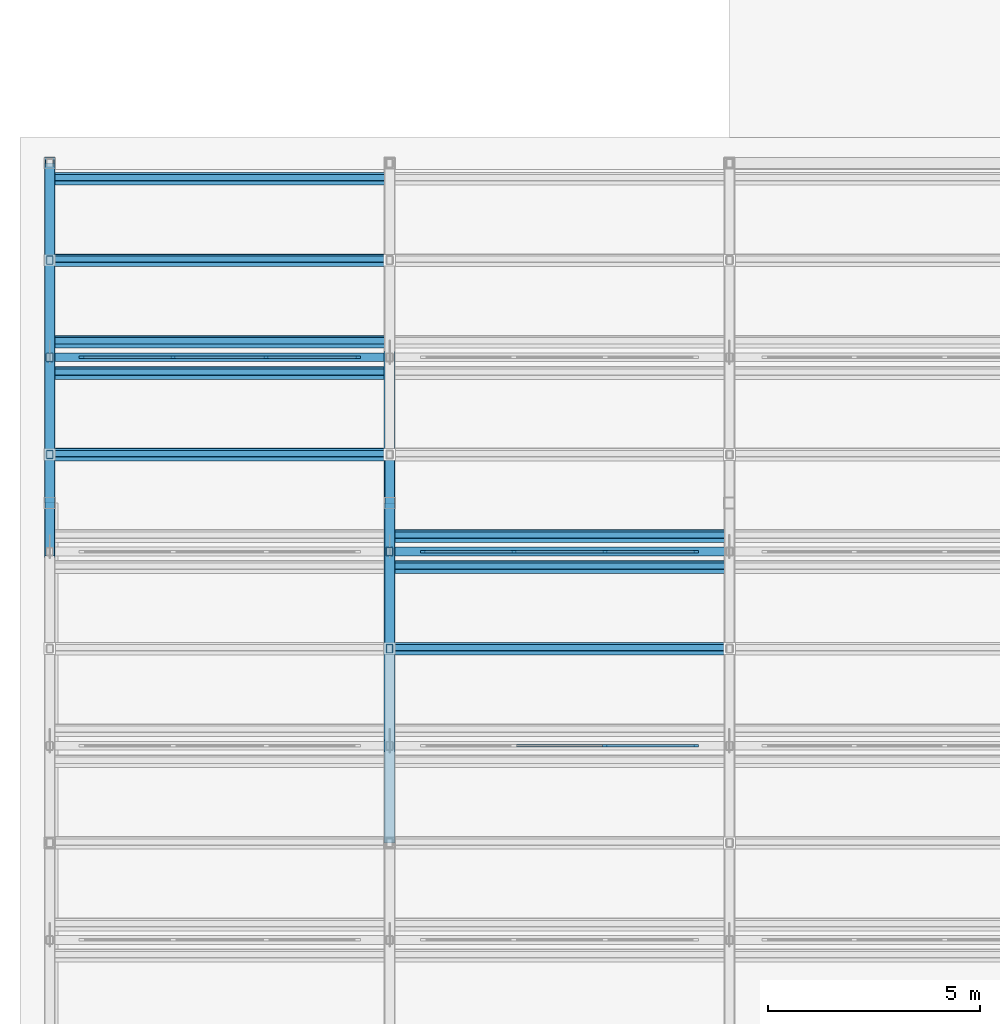
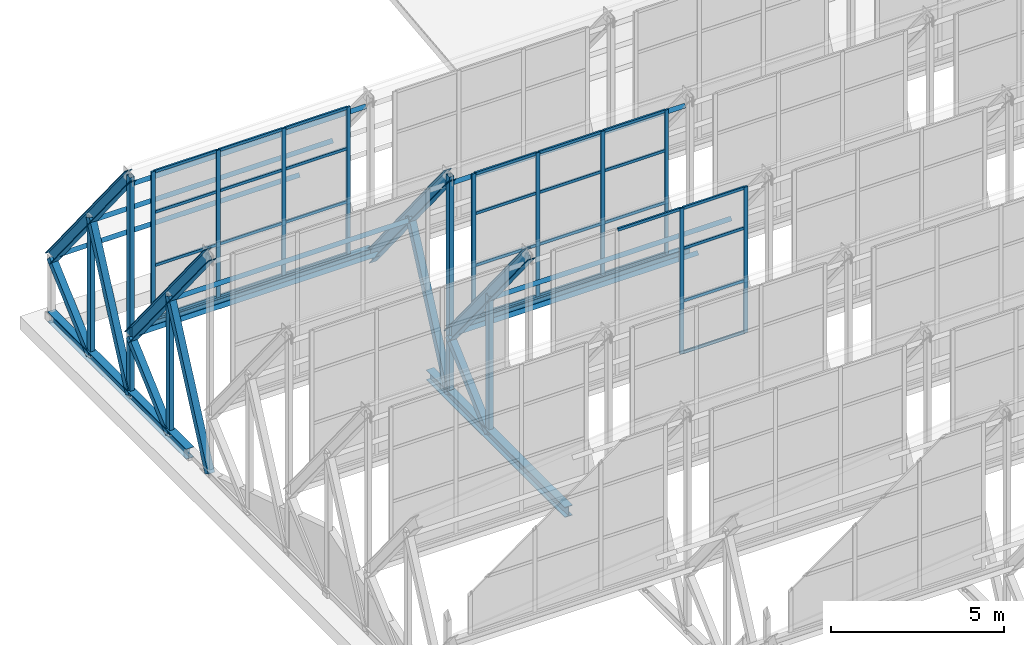
# One storey, part 14 of 34: 62 members, 4 beams, 3 elements without a shape of their own.
"""IFC4 building model written with IfcOpenShell, lengths in metres."""

import ifcopenshell
import ifcopenshell.guid

model = None  # the IFC model being written
_history = None  # IfcOwnerHistory: only IFC2X3 demands one
_inside = {}  # id of a spatial element -> (the spatial element, [elements in it])
_under = {}  # id of a project, library or spatial element -> (it, [spatial elements below it])
_declared = {}  # id of a project -> (the project, [libraries it declares])
_typed = {}  # id of a type object -> (the type object, [elements of that type])
_made_of = {}  # id of a material, layer set ... -> (it, [elements and type objects made of it])


def new_model(schema):
    """Start an empty IFC model of exactly this schema.

    Asked for "IFC4X3", IfcOpenShell would pick the latest addendum, in which some entities
    have other attributes; the version numbers below select the first issue.
    IFC2X3 requires an IfcOwnerHistory on every rooted entity: one is made here for all.
    """
    global model, _history
    if schema == "IFC4X3":
        model = ifcopenshell.file(schema_version=(4, 3, 0, 0))
    else:
        model = ifcopenshell.file(schema=schema)
    _inside.clear()
    _under.clear()
    _declared.clear()
    _typed.clear()
    _made_of.clear()
    _history = None
    if model.schema == "IFC2X3":
        org = make("IfcOrganization", Name="unknown")
        user = make(
            "IfcPersonAndOrganization",
            ThePerson=make("IfcPerson", FamilyName="unknown"),
            TheOrganization=org,
        )
        app = make(
            "IfcApplication",
            ApplicationDeveloper=org,
            Version="unknown",
            ApplicationFullName="unknown",
            ApplicationIdentifier="unknown",
        )
        _history = make(
            "IfcOwnerHistory",
            OwningUser=user,
            OwningApplication=app,
            ChangeAction="ADDED",
            CreationDate=0,
        )
    return model


def make(cls, **values):
    """One entity of the class cls with the attributes given. An attribute that is None is left unset."""
    return model.create_entity(
        cls, **{name: value for name, value in values.items() if value is not None}
    )


def rooted(cls, **values):
    """An entity with a GlobalId (a new one), such as an element, a storey or a relation."""
    return make(cls, GlobalId=ifcopenshell.guid.new(), OwnerHistory=_history, **values)


def si_unit(unit_type, name, prefix=None):
    """IfcSIUnit, for example si_unit("LENGTHUNIT", "METRE", prefix="MILLI")."""
    return make("IfcSIUnit", UnitType=unit_type, Prefix=prefix, Name=name)


def assignment(units):
    """IfcUnitAssignment: the units of a project."""
    return None if units is None else make("IfcUnitAssignment", Units=units)


def point(xyz):
    """IfcCartesianPoint."""
    return None if xyz is None else make("IfcCartesianPoint", Coordinates=xyz)


def direction(xyz):
    """IfcDirection."""
    return None if xyz is None else make("IfcDirection", DirectionRatios=xyz)


def frame(location, z_axis=None, x_axis=None):
    """IfcAxis2Placement3D, a coordinate frame: its origin and axes. An axis left out is left unset."""
    return make(
        "IfcAxis2Placement3D",
        Location=point(location),
        Axis=direction(z_axis),
        RefDirection=direction(x_axis),
    )


def frame_2d(location, x_axis=None):
    """IfcAxis2Placement2D, a coordinate frame in the plane: its origin and x axis."""
    return make(
        "IfcAxis2Placement2D", Location=point(location), RefDirection=direction(x_axis)
    )


def origin():
    """The frame at (0, 0, 0) with its axes left unset."""
    return frame((0.0, 0.0, 0.0))


def origin_2d():
    """The frame at (0, 0) in the plane with its x axis left unset."""
    return frame_2d((0.0, 0.0))


def place(relative_to, where):
    """IfcLocalPlacement: puts the frame where relative to a parent placement (None: the world)."""
    return make(
        "IfcLocalPlacement", PlacementRelTo=relative_to, RelativePlacement=where
    )


def context(
    kind, dimensions, precision=None, world=None, true_north=None, identifier=None
):
    """IfcGeometricRepresentationContext, for example the 3D "Model" context."""
    return make(
        "IfcGeometricRepresentationContext",
        ContextIdentifier=identifier,
        ContextType=kind,
        CoordinateSpaceDimension=dimensions,
        Precision=precision,
        WorldCoordinateSystem=world,
        TrueNorth=true_north,
    )


def subcontext(parent, identifier, kind, view, scale=None):
    """IfcGeometricRepresentationSubContext, for example "Body" below "Model"."""
    return make(
        "IfcGeometricRepresentationSubContext",
        ContextIdentifier=identifier,
        ContextType=kind,
        ParentContext=parent,
        TargetScale=scale,
        TargetView=view,
    )


def project(units=None, contexts=None):
    """IfcProject with its units and contexts."""
    return rooted(
        "IfcProject",
        Name="project",
        RepresentationContexts=contexts,
        UnitsInContext=assignment(units),
    )


def spatial(cls, under=None, at=None, **own):
    """A site, building, storey or space (cls), placed at a placement, below another one or the project."""
    s = rooted(cls, ObjectPlacement=at, **own)
    if under is not None:
        _under.setdefault(under.id(), (under, []))[1].append(s)
    return s


def profile(cls, at=None, kind="AREA", **sizes):
    """A parametric profile (cls). Its sizes go by their IFC names, for example OverallWidth=200.0."""
    return make(cls, ProfileType=kind, Position=at, **sizes)


def rectangle(**sizes):
    """IfcRectangleProfileDef."""
    return profile("IfcRectangleProfileDef", **sizes)


def hollow_rectangle(**sizes):
    """IfcRectangleHollowProfileDef."""
    return profile("IfcRectangleHollowProfileDef", **sizes)


def i_section(**sizes):
    """IfcIShapeProfileDef."""
    return profile("IfcIShapeProfileDef", **sizes)


def extrude(swept, where, along, depth):
    """IfcExtrudedAreaSolid: the profile swept, set in the frame where, extruded along a direction by depth."""
    return make(
        "IfcExtrudedAreaSolid",
        SweptArea=swept,
        Position=where,
        ExtrudedDirection=direction(along),
        Depth=depth,
    )


def shape(context_of_items, identifier, shape_type, items):
    """IfcShapeRepresentation: the items that make up one representation, for example the "Body"."""
    return make(
        "IfcShapeRepresentation",
        ContextOfItems=context_of_items,
        RepresentationIdentifier=identifier,
        RepresentationType=shape_type,
        Items=items,
    )


def material(Name=None, Category=None):
    """IfcMaterial."""
    return make("IfcMaterial", Name=Name, Category=Category)


def layer(
    of_material, thickness, ventilated=None, Name=None, Category=None, Priority=None
):
    """IfcMaterialLayer: one layer of a wall or slab, of a material (None: an air gap)."""
    return make(
        "IfcMaterialLayer",
        Material=of_material,
        LayerThickness=thickness,
        IsVentilated=ventilated,
        Name=Name,
        Category=Category,
        Priority=Priority,
    )


def layer_set(layers, Name=None):
    """IfcMaterialLayerSet."""
    return make("IfcMaterialLayerSet", MaterialLayers=layers, LayerSetName=Name)


def material_profile(
    of_material, cross_section, Name=None, Category=None, Priority=None
):
    """IfcMaterialProfile: a cross section and its material."""
    return make(
        "IfcMaterialProfile",
        Name=Name,
        Material=of_material,
        Profile=cross_section,
        Priority=Priority,
        Category=Category,
    )


def profile_set(profiles, Name=None, composite=None):
    """IfcMaterialProfileSet."""
    return make(
        "IfcMaterialProfileSet",
        Name=Name,
        MaterialProfiles=profiles,
        CompositeProfile=composite,
    )


def made_of(thing, what):
    """Note that an element or type object is made of a material, layer set ...; save() writes the relation."""
    if what is not None:
        _made_of.setdefault(what.id(), (what, []))[1].append(thing)
    return thing


def type_object(cls, material=None, **own):
    """A type object (cls), such as IfcWallType, which elements share."""
    return made_of(rooted(cls, **own), material)


def element(
    cls,
    number,
    at=None,
    inside=None,
    cuts=None,
    type_object=None,
    material=None,
    context=None,
    identifier="Body",
    shape_type=None,
    held_by="IfcProductDefinitionShape",
    body=None,
    shapes=None,
    **own,
):
    """One element of the class cls, such as IfcWall. Its Tag is "e" and its number.

    at: its placement. inside: the storey or other place that contains it. cuts: it is an
    opening in that element (IfcRelVoidsElement). A single representation is given by context,
    identifier, shape_type and body (its items); several are given by shapes. held_by: the class
    of the entity that holds the representations. save() writes the other relations.
    """
    e = rooted(cls, Tag="e%d" % number, ObjectPlacement=at, **own)
    if body is not None:
        shapes = [shape(context, identifier, shape_type, body)]
    if shapes is not None:
        e.Representation = make(held_by, Representations=shapes)
    if inside is not None:
        _inside.setdefault(inside.id(), (inside, []))[1].append(e)
    if cuts is not None:
        rooted(
            "IfcRelVoidsElement", RelatingBuildingElement=cuts, RelatedOpeningElement=e
        )
    if type_object is not None:
        _typed.setdefault(type_object.id(), (type_object, []))[1].append(e)
    return made_of(e, material)


def aggregate(whole, parts):
    """IfcRelAggregates: a whole, such as a stair, and the parts it consists of."""
    return rooted("IfcRelAggregates", RelatingObject=whole, RelatedObjects=parts)


def save(model, path):
    """Write the relations noted so far, then the file.

    IfcRelAggregates (storeys below a building ...), IfcRelContainedInSpatialStructure (elements
    in a storey), IfcRelDefinesByType, IfcRelAssociatesMaterial and IfcRelDeclares: one each for
    every whole, place, type object, material and project.
    """
    for whole, parts in _under.values():
        aggregate(whole, parts)
    for where, things in _inside.values():
        rooted(
            "IfcRelContainedInSpatialStructure",
            RelatedElements=things,
            RelatingStructure=where,
        )
    for kind, things in _typed.values():
        rooted("IfcRelDefinesByType", RelatedObjects=things, RelatingType=kind)
    for what, things in _made_of.values():
        rooted("IfcRelAssociatesMaterial", RelatedObjects=things, RelatingMaterial=what)
    for by, libraries in _declared.values():
        rooted("IfcRelDeclares", RelatingContext=by, RelatedDefinitions=libraries)
    model.write(path)


model = new_model("IFC4")

# Units and contexts
model_context = context("Model", 3, precision=1e-05, world=origin(), true_north=direction((0.0, 1.0)))
body_context = subcontext(model_context, "Body", "Model", "MODEL_VIEW")
ifc_project = project(units=[si_unit("LENGTHUNIT", "METRE"), si_unit("AREAUNIT", "SQUARE_METRE"), si_unit("VOLUMEUNIT", "CUBIC_METRE"), si_unit("PLANEANGLEUNIT", "RADIAN"), si_unit("MASSUNIT", "GRAM", prefix="KILO")], contexts=[model_context])

# Site, building, storey
site_placement = place(None, origin())
site = spatial("IfcSite", under=ifc_project, at=site_placement, CompositionType="ELEMENT")
building_placement = place(site_placement, origin())
building = spatial("IfcBuilding", under=site, at=building_placement, Name="Qorikala Patio Media Centre", CompositionType="ELEMENT")
storey_placement = place(building_placement, frame((0.0, 0.0, 32.699951171875)))
storey = spatial("IfcBuildingStorey", under=building, at=storey_placement, Name="RF", CompositionType="ELEMENT", Elevation=32.699951171875)

# Members
ifc_material_1 = material(Name="Steel S355", Category="steel")
ifc_material_profile_1 = material_profile(ifc_material_1, hollow_rectangle(XDim=0.219970703125, YDim=0.219970703125, WallThickness=0.010009765625, at=origin_2d()), Name="HSS220X220X10")
ifc_profile_set_1 = profile_set([ifc_material_profile_1], Name="Steel S355")
member_type_1 = type_object("IfcMemberType", Name="BRACE-HSS220", PredefinedType="BRACE", material=ifc_profile_set_1)
member_1_placement = place(storey_placement, frame((3.0, 25.857177734375, 0.35009765625), z_axis=(0.0, 0.424508225487, 0.905424081022), x_axis=(-1.0, 0.0, 0.0)))
element("IfcMember", 1, at=member_1_placement, inside=storey, type_object=member_type_1, Name="SAW-V1 Truss 1 Bay 6 Web Diagonal 1", PredefinedType="BRACE", context=body_context, shape_type="SweptSolid", body=[
    extrude(hollow_rectangle(XDim=0.219970703125, YDim=0.219970703125, WallThickness=0.010009765625, at=origin_2d()), origin(), (0.0, 0.0, 1.0), 5.38427734375),
])
member_2_placement = place(storey_placement, frame((3.0, 28.142822265625, 0.35009765625), z_axis=(0.0, 0.744431778243, 0.667698530432), x_axis=(-1.0, 0.0, 0.0)))
element("IfcMember", 2, at=member_2_placement, inside=storey, type_object=member_type_1, Name="SAW-V1 Truss 1 Bay 6 Web Diagonal 2", PredefinedType="BRACE", context=body_context, shape_type="SweptSolid", body=[
    extrude(hollow_rectangle(XDim=0.219970703125, YDim=0.219970703125, WallThickness=0.010009765625, at=origin_2d()), origin(), (0.0, 0.0, 1.0), 3.0703125),
])
member_3_placement = place(storey_placement, frame((3.0, 30.4287109375, 0.35009765625), z_axis=(0.0, 0.424508225487, 0.905424081022), x_axis=(-1.0, 0.0, 0.0)))
element("IfcMember", 3, at=member_3_placement, inside=storey, type_object=member_type_1, Name="SAW-V1 Truss 1 Bay 7 Web Diagonal 1", PredefinedType="BRACE", context=body_context, shape_type="SweptSolid", body=[
    extrude(hollow_rectangle(XDim=0.219970703125, YDim=0.219970703125, WallThickness=0.010009765625, at=origin_2d()), origin(), (0.0, 0.0, 1.0), 5.38427734375),
])
member_4_placement = place(storey_placement, frame((3.0, 32.71435546875, 0.35009765625), z_axis=(0.0, 0.744431778243, 0.667698530432), x_axis=(-1.0, 0.0, 0.0)))
element("IfcMember", 4, at=member_4_placement, inside=storey, type_object=member_type_1, Name="SAW-V1 Truss 1 Bay 7 Web Diagonal 2", PredefinedType="BRACE", context=body_context, shape_type="SweptSolid", body=[
    extrude(hollow_rectangle(XDim=0.219970703125, YDim=0.219970703125, WallThickness=0.010009765625, at=origin_2d()), origin(), (0.0, 0.0, 1.0), 3.0703125),
])
member_5_placement = place(storey_placement, frame((11.0, 23.5712890625, 0.35009765625), z_axis=(0.0, 0.744467225167, 0.667659007767), x_axis=(-1.0, 0.0, 0.0)))
element("IfcMember", 5, at=member_5_placement, inside=storey, type_object=member_type_1, Name="SAW-V1 Truss 2 Bay 5 Web Diagonal 2", PredefinedType="BRACE", context=body_context, shape_type="SweptSolid", body=[
    extrude(hollow_rectangle(XDim=0.219970703125, YDim=0.219970703125, WallThickness=0.010009765625, at=origin_2d()), origin(), (0.0, 0.0, 1.0), 3.070556640625),
])
member_6_placement = place(storey_placement, frame((11.0, 25.857177734375, 0.35009765625), z_axis=(0.0, 0.424508225487, 0.905424081022), x_axis=(-1.0, 0.0, 0.0)))
element("IfcMember", 6, at=member_6_placement, inside=storey, type_object=member_type_1, Name="SAW-V1 Truss 2 Bay 6 Web Diagonal 1", PredefinedType="BRACE", context=body_context, shape_type="SweptSolid", body=[
    extrude(hollow_rectangle(XDim=0.219970703125, YDim=0.219970703125, WallThickness=0.010009765625, at=origin_2d()), origin(), (0.0, 0.0, 1.0), 5.38427734375),
])
ifc_material_profile_2 = material_profile(ifc_material_1, i_section(OverallWidth=0.257080078125, OverallDepth=0.363037109375, WebThickness=0.012939453125, FlangeThickness=0.021728515625, at=origin_2d()), Name="W360X122")
ifc_profile_set_2 = profile_set([ifc_material_profile_2], Name="Steel S355")
member_type_2 = type_object("IfcMemberType", Name="CHORD-W360X122", PredefinedType="CHORD", material=ifc_profile_set_2)
for number, where, z_axis, x_axis, name in (
    (7, (3.0, 25.857177734375, 8.050048828125), (0.0, 0.628995268707, -0.777409127773), (-1.0, 0.0, 0.0), "SAW-V1 Truss 1 Bay 6 Sloped Top Chord"),
    (8, (3.0, 30.4287109375, 8.050048828125), (0.0, 0.628995268707, -0.777409127773), (-1.0, 0.0, 0.0), "SAW-V1 Truss 1 Bay 7 Sloped Top Chord"),
):
    element("IfcMember", number, at=place(storey_placement, frame(where, z_axis=z_axis, x_axis=x_axis)), inside=storey, type_object=member_type_2, Name=name, PredefinedType="CHORD", context=body_context, shape_type="SweptSolid", body=[
        extrude(i_section(OverallWidth=0.257080078125, OverallDepth=0.363037109375, WebThickness=0.012939453125, FlangeThickness=0.021728515625, at=origin_2d()), origin(), (0.0, 0.0, 1.0), 7.267578125),
    ])
member_7_placement = place(storey_placement, frame((11.0, 21.28564453125, 8.050048828125), z_axis=(0.0, 0.629015570493, -0.777392701327), x_axis=(-1.0, 0.0, 0.0)))
element("IfcMember", 9, at=member_7_placement, inside=storey, type_object=member_type_2, Name="SAW-V1 Truss 2 Bay 5 Sloped Top Chord", PredefinedType="CHORD", context=body_context, shape_type="SweptSolid", body=[
    extrude(i_section(OverallWidth=0.257080078125, OverallDepth=0.363037109375, WebThickness=0.012939453125, FlangeThickness=0.021728515625, at=origin_2d()), origin(), (0.0, 0.0, 1.0), 7.267822265625),
])
member_8_placement = place(storey_placement, frame((11.0, 25.857177734375, 8.050048828125), z_axis=(0.0, 0.628995268707, -0.777409127773), x_axis=(-1.0, 0.0, 0.0)))
element("IfcMember", 10, at=member_8_placement, inside=storey, type_object=member_type_2, Name="SAW-V1 Truss 2 Bay 6 Sloped Top Chord", PredefinedType="CHORD", context=body_context, shape_type="SweptSolid", body=[
    extrude(i_section(OverallWidth=0.257080078125, OverallDepth=0.363037109375, WebThickness=0.012939453125, FlangeThickness=0.021728515625, at=origin_2d()), origin(), (0.0, 0.0, 1.0), 7.267578125),
])

# Curtain wall, members
ifc_material_2 = material(Name="Bronze Anodised Aluminium and Low-E Glass", Category="aluminium")
ifc_layer_1 = layer(ifc_material_2, 0.159912109375)
ifc_layer_set_1 = layer_set([ifc_layer_1], Name="Bronze Anodised Aluminium and Low-E Glass")
curtain_wall_type_1 = type_object("IfcCurtainWallType", Name="CW-SAW-648X514", PredefinedType="USERDEFINED", material=ifc_layer_set_1)
curtain_wall_1_placement = place(storey_placement, origin())
curtain_wall_1 = element("IfcCurtainWall", 11, at=curtain_wall_1_placement, inside=storey, type_object=curtain_wall_type_1, Name="RF Sawtooth Glazing 128", ObjectType="SAWTOOTH GLAZING", PredefinedType="USERDEFINED")
ifc_material_3 = material(Name="Bronze Anodised Aluminium", Category="aluminium")
ifc_material_profile_3 = material_profile(ifc_material_3, rectangle(XDim=0.06005859375, YDim=0.1298828125, at=origin_2d()), Name="ALU MULLION 60x130")
ifc_profile_set_3 = profile_set([ifc_material_profile_3], Name="Bronze Anodised Aluminium")
member_type_3 = type_object("IfcMemberType", Name="CWM-60X130", PredefinedType="MULLION", material=ifc_profile_set_3)
member_9_placement = place(storey_placement, frame((16.080078125, 21.28564453125, 2.75), z_axis=(0.0, 0.0, 1.0), x_axis=(0.0, 1.0, 0.0)))
member_9 = element("IfcMember", 12, at=member_9_placement, type_object=member_type_3, Name="CWS648514 mullion 3", PredefinedType="MULLION", context=body_context, shape_type="SweptSolid", body=[
    extrude(rectangle(XDim=0.06005859375, YDim=0.1298828125, at=origin_2d()), origin(), (0.0, 0.0, 1.0), 5.14013671875),
])
member_10_placement = place(storey_placement, frame((18.2099609375, 21.28564453125, 2.75), z_axis=(0.0, 0.0, 1.0), x_axis=(0.0, 1.0, 0.0)))
member_10 = element("IfcMember", 13, at=member_10_placement, type_object=member_type_3, Name="CWS648514 mullion 4", PredefinedType="MULLION", context=body_context, shape_type="SweptSolid", body=[
    extrude(rectangle(XDim=0.06005859375, YDim=0.1298828125, at=origin_2d()), origin(), (0.0, 0.0, 1.0), 5.14013671875),
])

ifc_layer_2 = layer(ifc_material_2, 0.159912109375)
ifc_layer_set_2 = layer_set([ifc_layer_2], Name="Bronze Anodised Aluminium and Low-E Glass")
curtain_wall_type_2 = type_object("IfcCurtainWallType", Name="CW-SAW-648X508", PredefinedType="USERDEFINED", material=ifc_layer_set_2)
curtain_wall_2_placement = place(storey_placement, origin())
curtain_wall_2 = element("IfcCurtainWall", 14, at=curtain_wall_2_placement, inside=storey, type_object=curtain_wall_type_2, Name="RF Sawtooth Glazing 133", ObjectType="SAWTOOTH GLAZING", PredefinedType="USERDEFINED")
member_11_placement = place(storey_placement, frame((11.7900390625, 25.857177734375, 2.75), z_axis=(0.0, 0.0, 1.0), x_axis=(0.0, 1.0, 0.0)))
member_11 = element("IfcMember", 15, at=member_11_placement, type_object=member_type_3, Name="CWS648508 mullion 1", PredefinedType="MULLION", context=body_context, shape_type="SweptSolid", body=[
    extrude(rectangle(XDim=0.06005859375, YDim=0.1298828125, at=origin_2d()), origin(), (0.0, 0.0, 1.0), 5.080078125),
])
member_12_placement = place(storey_placement, frame((13.919921875, 25.857177734375, 2.75), z_axis=(0.0, 0.0, 1.0), x_axis=(0.0, 1.0, 0.0)))
member_12 = element("IfcMember", 16, at=member_12_placement, type_object=member_type_3, Name="CWS648508 mullion 2", PredefinedType="MULLION", context=body_context, shape_type="SweptSolid", body=[
    extrude(rectangle(XDim=0.06005859375, YDim=0.1298828125, at=origin_2d()), origin(), (0.0, 0.0, 1.0), 5.080078125),
])
member_13_placement = place(storey_placement, frame((16.080078125, 25.857177734375, 2.75), z_axis=(0.0, 0.0, 1.0), x_axis=(0.0, 1.0, 0.0)))
member_13 = element("IfcMember", 17, at=member_13_placement, type_object=member_type_3, Name="CWS648508 mullion 3", PredefinedType="MULLION", context=body_context, shape_type="SweptSolid", body=[
    extrude(rectangle(XDim=0.06005859375, YDim=0.1298828125, at=origin_2d()), origin(), (0.0, 0.0, 1.0), 5.080078125),
])
member_14_placement = place(storey_placement, frame((18.2099609375, 25.857177734375, 2.75), z_axis=(0.0, 0.0, 1.0), x_axis=(0.0, 1.0, 0.0)))
member_14 = element("IfcMember", 18, at=member_14_placement, type_object=member_type_3, Name="CWS648508 mullion 4", PredefinedType="MULLION", context=body_context, shape_type="SweptSolid", body=[
    extrude(rectangle(XDim=0.06005859375, YDim=0.1298828125, at=origin_2d()), origin(), (0.0, 0.0, 1.0), 5.080078125),
])

ifc_layer_3 = layer(ifc_material_2, 0.159912109375)
ifc_layer_set_3 = layer_set([ifc_layer_3], Name="Bronze Anodised Aluminium and Low-E Glass")
curtain_wall_type_3 = type_object("IfcCurtainWallType", Name="CW-SAW-656X520", PredefinedType="USERDEFINED", material=ifc_layer_set_3)
curtain_wall_3_placement = place(storey_placement, origin())
curtain_wall_3 = element("IfcCurtainWall", 19, at=curtain_wall_3_placement, inside=storey, type_object=curtain_wall_type_3, Name="RF Sawtooth Glazing 137", ObjectType="SAWTOOTH GLAZING", PredefinedType="USERDEFINED")
member_15_placement = place(storey_placement, frame((3.75, 30.4287109375, 2.75), z_axis=(0.0, 0.0, 1.0), x_axis=(0.0, 1.0, 0.0)))
member_15 = element("IfcMember", 20, at=member_15_placement, type_object=member_type_3, Name="CWS656520 mullion 1", PredefinedType="MULLION", context=body_context, shape_type="SweptSolid", body=[
    extrude(rectangle(XDim=0.06005859375, YDim=0.1298828125, at=origin_2d()), origin(), (0.0, 0.0, 1.0), 5.199951171875),
])
member_16_placement = place(storey_placement, frame((5.90673828125, 30.4287109375, 2.75), z_axis=(0.0, 0.0, 1.0), x_axis=(0.0, 1.0, 0.0)))
member_16 = element("IfcMember", 21, at=member_16_placement, type_object=member_type_3, Name="CWS656520 mullion 2", PredefinedType="MULLION", context=body_context, shape_type="SweptSolid", body=[
    extrude(rectangle(XDim=0.06005859375, YDim=0.1298828125, at=origin_2d()), origin(), (0.0, 0.0, 1.0), 5.199951171875),
])
member_17_placement = place(storey_placement, frame((8.09326171875, 30.4287109375, 2.75), z_axis=(0.0, 0.0, 1.0), x_axis=(0.0, 1.0, 0.0)))
member_17 = element("IfcMember", 22, at=member_17_placement, type_object=member_type_3, Name="CWS656520 mullion 3", PredefinedType="MULLION", context=body_context, shape_type="SweptSolid", body=[
    extrude(rectangle(XDim=0.06005859375, YDim=0.1298828125, at=origin_2d()), origin(), (0.0, 0.0, 1.0), 5.199951171875),
])
member_18_placement = place(storey_placement, frame((10.25, 30.4287109375, 2.75), z_axis=(0.0, 0.0, 1.0), x_axis=(0.0, 1.0, 0.0)))
member_18 = element("IfcMember", 23, at=member_18_placement, type_object=member_type_3, Name="CWS656520 mullion 4", PredefinedType="MULLION", context=body_context, shape_type="SweptSolid", body=[
    extrude(rectangle(XDim=0.06005859375, YDim=0.1298828125, at=origin_2d()), origin(), (0.0, 0.0, 1.0), 5.199951171875),
])

# Member
ifc_material_profile_4 = material_profile(ifc_material_3, rectangle(XDim=0.06005859375, YDim=0.10009765625, at=origin_2d()), Name="ALU TRANSOM 60x100")
ifc_profile_set_4 = profile_set([ifc_material_profile_4], Name="Bronze Anodised Aluminium")
member_type_4 = type_object("IfcMemberType", Name="CWT-60X100", PredefinedType="USERDEFINED", material=ifc_profile_set_4)
member_19_placement = place(storey_placement, frame((13.949951171875, 21.28564453125, 7.860107421875), z_axis=(1.0, 0.0, 0.0), x_axis=(0.0, 1.0, 0.0)))
member_19 = element("IfcMember", 24, at=member_19_placement, type_object=member_type_4, Name="CWS648514 transom 2.4", ObjectType="TRANSOM", PredefinedType="USERDEFINED", context=body_context, shape_type="SweptSolid", body=[
    extrude(rectangle(XDim=0.06005859375, YDim=0.10009765625, at=origin_2d()), origin(), (0.0, 0.0, 1.0), 2.10009765625),
])

member_20_placement = place(storey_placement, frame((16.110107421875, 21.28564453125, 2.780029296875), z_axis=(1.0, 0.0, 0.0), x_axis=(0.0, 1.0, 0.0)))
member_20 = element("IfcMember", 25, at=member_20_placement, type_object=member_type_4, Name="CWS648514 transom 3.1", ObjectType="TRANSOM", PredefinedType="USERDEFINED", context=body_context, shape_type="SweptSolid", body=[
    extrude(rectangle(XDim=0.06005859375, YDim=0.10009765625, at=origin_2d()), origin(), (0.0, 0.0, 1.0), 2.06982421875),
])

member_21_placement = place(storey_placement, frame((16.110107421875, 21.28564453125, 4.600341796875), z_axis=(1.0, 0.0, 0.0), x_axis=(0.0, 1.0, 0.0)))
member_21 = element("IfcMember", 26, at=member_21_placement, type_object=member_type_4, Name="CWS648514 transom 3.2", ObjectType="TRANSOM", PredefinedType="USERDEFINED", context=body_context, shape_type="SweptSolid", body=[
    extrude(rectangle(XDim=0.06005859375, YDim=0.10009765625, at=origin_2d()), origin(), (0.0, 0.0, 1.0), 2.06982421875),
])

member_22_placement = place(storey_placement, frame((16.110107421875, 21.28564453125, 6.450927734375), z_axis=(1.0, 0.0, 0.0), x_axis=(0.0, 1.0, 0.0)))
member_22 = element("IfcMember", 27, at=member_22_placement, type_object=member_type_4, Name="CWS648514 transom 3.3", ObjectType="TRANSOM", PredefinedType="USERDEFINED", context=body_context, shape_type="SweptSolid", body=[
    extrude(rectangle(XDim=0.06005859375, YDim=0.10009765625, at=origin_2d()), origin(), (0.0, 0.0, 1.0), 2.06982421875),
])

member_23_placement = place(storey_placement, frame((16.110107421875, 21.28564453125, 7.860107421875), z_axis=(1.0, 0.0, 0.0), x_axis=(0.0, 1.0, 0.0)))
member_23 = element("IfcMember", 28, at=member_23_placement, type_object=member_type_4, Name="CWS648514 transom 3.4", ObjectType="TRANSOM", PredefinedType="USERDEFINED", context=body_context, shape_type="SweptSolid", body=[
    extrude(rectangle(XDim=0.06005859375, YDim=0.10009765625, at=origin_2d()), origin(), (0.0, 0.0, 1.0), 2.06982421875),
])

aggregate(curtain_wall_1, [member_9, member_10, member_19, member_20, member_21, member_22, member_23])

member_24_placement = place(storey_placement, frame((11.820068359375, 25.857177734375, 2.780029296875), z_axis=(1.0, 0.0, 0.0), x_axis=(0.0, 1.0, 0.0)))
member_24 = element("IfcMember", 29, at=member_24_placement, type_object=member_type_4, Name="CWS648508 transom 1.1", ObjectType="TRANSOM", PredefinedType="USERDEFINED", context=body_context, shape_type="SweptSolid", body=[
    extrude(rectangle(XDim=0.06005859375, YDim=0.10009765625, at=origin_2d()), origin(), (0.0, 0.0, 1.0), 2.06982421875),
])

member_25_placement = place(storey_placement, frame((11.820068359375, 25.857177734375, 4.578857421875), z_axis=(1.0, 0.0, 0.0), x_axis=(0.0, 1.0, 0.0)))
member_25 = element("IfcMember", 30, at=member_25_placement, type_object=member_type_4, Name="CWS648508 transom 1.2", ObjectType="TRANSOM", PredefinedType="USERDEFINED", context=body_context, shape_type="SweptSolid", body=[
    extrude(rectangle(XDim=0.06005859375, YDim=0.10009765625, at=origin_2d()), origin(), (0.0, 0.0, 1.0), 2.06982421875),
])

member_26_placement = place(storey_placement, frame((11.820068359375, 25.857177734375, 6.40771484375), z_axis=(1.0, 0.0, 0.0), x_axis=(0.0, 1.0, 0.0)))
member_26 = element("IfcMember", 31, at=member_26_placement, type_object=member_type_4, Name="CWS648508 transom 1.3", ObjectType="TRANSOM", PredefinedType="USERDEFINED", context=body_context, shape_type="SweptSolid", body=[
    extrude(rectangle(XDim=0.06005859375, YDim=0.10009765625, at=origin_2d()), origin(), (0.0, 0.0, 1.0), 2.06982421875),
])

member_27_placement = place(storey_placement, frame((11.820068359375, 25.857177734375, 7.800048828125), z_axis=(1.0, 0.0, 0.0), x_axis=(0.0, 1.0, 0.0)))
member_27 = element("IfcMember", 32, at=member_27_placement, type_object=member_type_4, Name="CWS648508 transom 1.4", ObjectType="TRANSOM", PredefinedType="USERDEFINED", context=body_context, shape_type="SweptSolid", body=[
    extrude(rectangle(XDim=0.06005859375, YDim=0.10009765625, at=origin_2d()), origin(), (0.0, 0.0, 1.0), 2.06982421875),
])

member_28_placement = place(storey_placement, frame((13.949951171875, 25.857177734375, 2.780029296875), z_axis=(1.0, 0.0, 0.0), x_axis=(0.0, 1.0, 0.0)))
member_28 = element("IfcMember", 33, at=member_28_placement, type_object=member_type_4, Name="CWS648508 transom 2.1", ObjectType="TRANSOM", PredefinedType="USERDEFINED", context=body_context, shape_type="SweptSolid", body=[
    extrude(rectangle(XDim=0.06005859375, YDim=0.10009765625, at=origin_2d()), origin(), (0.0, 0.0, 1.0), 2.10009765625),
])

member_29_placement = place(storey_placement, frame((13.949951171875, 25.857177734375, 4.578857421875), z_axis=(1.0, 0.0, 0.0), x_axis=(0.0, 1.0, 0.0)))
member_29 = element("IfcMember", 34, at=member_29_placement, type_object=member_type_4, Name="CWS648508 transom 2.2", ObjectType="TRANSOM", PredefinedType="USERDEFINED", context=body_context, shape_type="SweptSolid", body=[
    extrude(rectangle(XDim=0.06005859375, YDim=0.10009765625, at=origin_2d()), origin(), (0.0, 0.0, 1.0), 2.10009765625),
])

member_30_placement = place(storey_placement, frame((13.949951171875, 25.857177734375, 6.40771484375), z_axis=(1.0, 0.0, 0.0), x_axis=(0.0, 1.0, 0.0)))
member_30 = element("IfcMember", 35, at=member_30_placement, type_object=member_type_4, Name="CWS648508 transom 2.3", ObjectType="TRANSOM", PredefinedType="USERDEFINED", context=body_context, shape_type="SweptSolid", body=[
    extrude(rectangle(XDim=0.06005859375, YDim=0.10009765625, at=origin_2d()), origin(), (0.0, 0.0, 1.0), 2.10009765625),
])

member_31_placement = place(storey_placement, frame((13.949951171875, 25.857177734375, 7.800048828125), z_axis=(1.0, 0.0, 0.0), x_axis=(0.0, 1.0, 0.0)))
member_31 = element("IfcMember", 36, at=member_31_placement, type_object=member_type_4, Name="CWS648508 transom 2.4", ObjectType="TRANSOM", PredefinedType="USERDEFINED", context=body_context, shape_type="SweptSolid", body=[
    extrude(rectangle(XDim=0.06005859375, YDim=0.10009765625, at=origin_2d()), origin(), (0.0, 0.0, 1.0), 2.10009765625),
])

member_32_placement = place(storey_placement, frame((16.110107421875, 25.857177734375, 2.780029296875), z_axis=(1.0, 0.0, 0.0), x_axis=(0.0, 1.0, 0.0)))
member_32 = element("IfcMember", 37, at=member_32_placement, type_object=member_type_4, Name="CWS648508 transom 3.1", ObjectType="TRANSOM", PredefinedType="USERDEFINED", context=body_context, shape_type="SweptSolid", body=[
    extrude(rectangle(XDim=0.06005859375, YDim=0.10009765625, at=origin_2d()), origin(), (0.0, 0.0, 1.0), 2.06982421875),
])

member_33_placement = place(storey_placement, frame((16.110107421875, 25.857177734375, 4.578857421875), z_axis=(1.0, 0.0, 0.0), x_axis=(0.0, 1.0, 0.0)))
member_33 = element("IfcMember", 38, at=member_33_placement, type_object=member_type_4, Name="CWS648508 transom 3.2", ObjectType="TRANSOM", PredefinedType="USERDEFINED", context=body_context, shape_type="SweptSolid", body=[
    extrude(rectangle(XDim=0.06005859375, YDim=0.10009765625, at=origin_2d()), origin(), (0.0, 0.0, 1.0), 2.06982421875),
])

member_34_placement = place(storey_placement, frame((16.110107421875, 25.857177734375, 6.40771484375), z_axis=(1.0, 0.0, 0.0), x_axis=(0.0, 1.0, 0.0)))
member_34 = element("IfcMember", 39, at=member_34_placement, type_object=member_type_4, Name="CWS648508 transom 3.3", ObjectType="TRANSOM", PredefinedType="USERDEFINED", context=body_context, shape_type="SweptSolid", body=[
    extrude(rectangle(XDim=0.06005859375, YDim=0.10009765625, at=origin_2d()), origin(), (0.0, 0.0, 1.0), 2.06982421875),
])

member_35_placement = place(storey_placement, frame((16.110107421875, 25.857177734375, 7.800048828125), z_axis=(1.0, 0.0, 0.0), x_axis=(0.0, 1.0, 0.0)))
member_35 = element("IfcMember", 40, at=member_35_placement, type_object=member_type_4, Name="CWS648508 transom 3.4", ObjectType="TRANSOM", PredefinedType="USERDEFINED", context=body_context, shape_type="SweptSolid", body=[
    extrude(rectangle(XDim=0.06005859375, YDim=0.10009765625, at=origin_2d()), origin(), (0.0, 0.0, 1.0), 2.06982421875),
])

aggregate(curtain_wall_2, [member_11, member_12, member_13, member_14, member_24, member_25, member_26, member_27, member_28, member_29, member_30, member_31, member_32, member_33, member_34, member_35])

member_36_placement = place(storey_placement, frame((3.780029296875, 30.4287109375, 2.780029296875), z_axis=(1.0, 0.0, 0.0), x_axis=(0.0, 1.0, 0.0)))
member_36 = element("IfcMember", 41, at=member_36_placement, type_object=member_type_4, Name="CWS656520 transom 1.1", ObjectType="TRANSOM", PredefinedType="USERDEFINED", context=body_context, shape_type="SweptSolid", body=[
    extrude(rectangle(XDim=0.06005859375, YDim=0.10009765625, at=origin_2d()), origin(), (0.0, 0.0, 1.0), 2.0966796875),
])

member_37_placement = place(storey_placement, frame((3.780029296875, 30.4287109375, 4.6220703125), z_axis=(1.0, 0.0, 0.0), x_axis=(0.0, 1.0, 0.0)))
member_37 = element("IfcMember", 42, at=member_37_placement, type_object=member_type_4, Name="CWS656520 transom 1.2", ObjectType="TRANSOM", PredefinedType="USERDEFINED", context=body_context, shape_type="SweptSolid", body=[
    extrude(rectangle(XDim=0.06005859375, YDim=0.10009765625, at=origin_2d()), origin(), (0.0, 0.0, 1.0), 2.0966796875),
])

member_38_placement = place(storey_placement, frame((3.780029296875, 30.4287109375, 6.494140625), z_axis=(1.0, 0.0, 0.0), x_axis=(0.0, 1.0, 0.0)))
member_38 = element("IfcMember", 43, at=member_38_placement, type_object=member_type_4, Name="CWS656520 transom 1.3", ObjectType="TRANSOM", PredefinedType="USERDEFINED", context=body_context, shape_type="SweptSolid", body=[
    extrude(rectangle(XDim=0.06005859375, YDim=0.10009765625, at=origin_2d()), origin(), (0.0, 0.0, 1.0), 2.0966796875),
])

member_39_placement = place(storey_placement, frame((3.780029296875, 30.4287109375, 7.920166015625), z_axis=(1.0, 0.0, 0.0), x_axis=(0.0, 1.0, 0.0)))
member_39 = element("IfcMember", 44, at=member_39_placement, type_object=member_type_4, Name="CWS656520 transom 1.4", ObjectType="TRANSOM", PredefinedType="USERDEFINED", context=body_context, shape_type="SweptSolid", body=[
    extrude(rectangle(XDim=0.06005859375, YDim=0.10009765625, at=origin_2d()), origin(), (0.0, 0.0, 1.0), 2.0966796875),
])

member_40_placement = place(storey_placement, frame((5.936767578125, 30.4287109375, 2.780029296875), z_axis=(1.0, 0.0, 0.0), x_axis=(0.0, 1.0, 0.0)))
member_40 = element("IfcMember", 45, at=member_40_placement, type_object=member_type_4, Name="CWS656520 transom 2.1", ObjectType="TRANSOM", PredefinedType="USERDEFINED", context=body_context, shape_type="SweptSolid", body=[
    extrude(rectangle(XDim=0.06005859375, YDim=0.10009765625, at=origin_2d()), origin(), (0.0, 0.0, 1.0), 2.12646484375),
])

member_41_placement = place(storey_placement, frame((5.936767578125, 30.4287109375, 4.6220703125), z_axis=(1.0, 0.0, 0.0), x_axis=(0.0, 1.0, 0.0)))
member_41 = element("IfcMember", 46, at=member_41_placement, type_object=member_type_4, Name="CWS656520 transom 2.2", ObjectType="TRANSOM", PredefinedType="USERDEFINED", context=body_context, shape_type="SweptSolid", body=[
    extrude(rectangle(XDim=0.06005859375, YDim=0.10009765625, at=origin_2d()), origin(), (0.0, 0.0, 1.0), 2.12646484375),
])

member_42_placement = place(storey_placement, frame((5.936767578125, 30.4287109375, 6.494140625), z_axis=(1.0, 0.0, 0.0), x_axis=(0.0, 1.0, 0.0)))
member_42 = element("IfcMember", 47, at=member_42_placement, type_object=member_type_4, Name="CWS656520 transom 2.3", ObjectType="TRANSOM", PredefinedType="USERDEFINED", context=body_context, shape_type="SweptSolid", body=[
    extrude(rectangle(XDim=0.06005859375, YDim=0.10009765625, at=origin_2d()), origin(), (0.0, 0.0, 1.0), 2.12646484375),
])

member_43_placement = place(storey_placement, frame((5.936767578125, 30.4287109375, 7.920166015625), z_axis=(1.0, 0.0, 0.0), x_axis=(0.0, 1.0, 0.0)))
member_43 = element("IfcMember", 48, at=member_43_placement, type_object=member_type_4, Name="CWS656520 transom 2.4", ObjectType="TRANSOM", PredefinedType="USERDEFINED", context=body_context, shape_type="SweptSolid", body=[
    extrude(rectangle(XDim=0.06005859375, YDim=0.10009765625, at=origin_2d()), origin(), (0.0, 0.0, 1.0), 2.12646484375),
])

member_44_placement = place(storey_placement, frame((8.123291015625, 30.4287109375, 2.780029296875), z_axis=(1.0, 0.0, 0.0), x_axis=(0.0, 1.0, 0.0)))
member_44 = element("IfcMember", 49, at=member_44_placement, type_object=member_type_4, Name="CWS656520 transom 3.1", ObjectType="TRANSOM", PredefinedType="USERDEFINED", context=body_context, shape_type="SweptSolid", body=[
    extrude(rectangle(XDim=0.06005859375, YDim=0.10009765625, at=origin_2d()), origin(), (0.0, 0.0, 1.0), 2.0966796875),
])

member_45_placement = place(storey_placement, frame((8.123291015625, 30.4287109375, 4.6220703125), z_axis=(1.0, 0.0, 0.0), x_axis=(0.0, 1.0, 0.0)))
member_45 = element("IfcMember", 50, at=member_45_placement, type_object=member_type_4, Name="CWS656520 transom 3.2", ObjectType="TRANSOM", PredefinedType="USERDEFINED", context=body_context, shape_type="SweptSolid", body=[
    extrude(rectangle(XDim=0.06005859375, YDim=0.10009765625, at=origin_2d()), origin(), (0.0, 0.0, 1.0), 2.0966796875),
])

member_46_placement = place(storey_placement, frame((8.123291015625, 30.4287109375, 6.494140625), z_axis=(1.0, 0.0, 0.0), x_axis=(0.0, 1.0, 0.0)))
member_46 = element("IfcMember", 51, at=member_46_placement, type_object=member_type_4, Name="CWS656520 transom 3.3", ObjectType="TRANSOM", PredefinedType="USERDEFINED", context=body_context, shape_type="SweptSolid", body=[
    extrude(rectangle(XDim=0.06005859375, YDim=0.10009765625, at=origin_2d()), origin(), (0.0, 0.0, 1.0), 2.0966796875),
])

member_47_placement = place(storey_placement, frame((8.123291015625, 30.4287109375, 7.920166015625), z_axis=(1.0, 0.0, 0.0), x_axis=(0.0, 1.0, 0.0)))
member_47 = element("IfcMember", 52, at=member_47_placement, type_object=member_type_4, Name="CWS656520 transom 3.4", ObjectType="TRANSOM", PredefinedType="USERDEFINED", context=body_context, shape_type="SweptSolid", body=[
    extrude(rectangle(XDim=0.06005859375, YDim=0.10009765625, at=origin_2d()), origin(), (0.0, 0.0, 1.0), 2.0966796875),
])

aggregate(curtain_wall_3, [member_15, member_16, member_17, member_18, member_36, member_37, member_38, member_39, member_40, member_41, member_42, member_43, member_44, member_45, member_46, member_47])

# Members
ifc_material_profile_5 = material_profile(ifc_material_1, i_section(OverallWidth=0.14794921875, OverallDepth=0.26611328125, WebThickness=0.007568359375, FlangeThickness=0.012939453125, at=origin_2d()), Name="W250X45")
ifc_profile_set_5 = profile_set([ifc_material_profile_5], Name="Steel S355")
member_type_5 = type_object("IfcMemberType", Name="PURLIN-W250X45", PredefinedType="PURLIN", material=ifc_profile_set_5)
for number, where, z_axis, x_axis, name in (
    (53, (11.0, 23.5712890625, 5.077392578125), (1.0, 0.0, 0.0), (0.0, 0.62899480571, 0.777409502379), "SAW-V1 Bay 5 Roof Purlin"),
    (54, (11.0, 25.491455078125, 2.704345703125), (1.0, 0.0, 0.0), (0.0, 0.62899480571, 0.777409502379), "SAW-V1 Bay 5 Roof Purlin"),
    (55, (11.0, 26.222900390625, 7.450439453125), (1.0, 0.0, 0.0), (0.0, 0.62899480571, 0.777409502379), "SAW-V1 Bay 6 Roof Purlin"),
    (56, (3.0, 28.142822265625, 5.077392578125), (1.0, 0.0, 0.0), (0.0, 0.62899480571, 0.777409502379), "SAW-V1 Bay 6 Roof Purlin"),
    (57, (3.0, 30.062744140625, 2.704345703125), (1.0, 0.0, 0.0), (0.0, 0.62899480571, 0.777409502379), "SAW-V1 Bay 6 Roof Purlin"),
    (58, (3.0, 30.794189453125, 7.450439453125), (1.0, 0.0, 0.0), (0.0, 0.62899480571, 0.777409502379), "SAW-V1 Bay 7 Roof Purlin"),
    (59, (3.0, 32.71435546875, 5.077392578125), (1.0, 0.0, 0.0), (0.0, 0.62899480571, 0.777409502379), "SAW-V1 Bay 7 Roof Purlin"),
    (60, (3.0, 34.63427734375, 2.704345703125), (1.0, 0.0, 0.0), (0.0, 0.62899480571, 0.777409502379), "SAW-V1 Bay 7 Roof Purlin"),
):
    element("IfcMember", number, at=place(storey_placement, frame(where, z_axis=z_axis, x_axis=x_axis)), inside=storey, type_object=member_type_5, Name=name, PredefinedType="PURLIN", context=body_context, shape_type="SweptSolid", body=[
        extrude(i_section(OverallWidth=0.14794921875, OverallDepth=0.26611328125, WebThickness=0.007568359375, FlangeThickness=0.012939453125, at=origin_2d()), origin(), (0.0, 0.0, 1.0), 8.0),
    ])

# Beams
ifc_material_profile_6 = material_profile(ifc_material_1, i_section(OverallWidth=0.202880859375, OverallDepth=0.251953125, WebThickness=0.008056640625, FlangeThickness=0.013427734375, at=origin_2d()), Name="W250X58")
ifc_profile_set_6 = profile_set([ifc_material_profile_6], Name="Steel S355")
beam_type_1 = type_object("IfcBeamType", Name="SBM-W250X58", PredefinedType="BEAM", material=ifc_profile_set_6)
for number, where, z_axis, x_axis, name in (
    (61, (11.0, 25.857177734375, 2.625), (1.0, 0.0, 0.0), (0.0, 1.0, 0.0), "Sawtooth V1 Clerestory Sill Beam 6.2"),
    (62, (3.0, 30.4287109375, 2.625), (1.0, 0.0, 0.0), (0.0, 1.0, 0.0), "Sawtooth V1 Clerestory Sill Beam 7.1"),
):
    element("IfcBeam", number, at=place(storey_placement, frame(where, z_axis=z_axis, x_axis=x_axis)), inside=storey, type_object=beam_type_1, Name=name, PredefinedType="BEAM", context=body_context, shape_type="SweptSolid", body=[
        extrude(i_section(OverallWidth=0.202880859375, OverallDepth=0.251953125, WebThickness=0.008056640625, FlangeThickness=0.013427734375, at=origin_2d()), origin(), (0.0, 0.0, 1.0), 8.0),
    ])
ifc_material_profile_7 = material_profile(ifc_material_1, i_section(OverallWidth=0.257080078125, OverallDepth=0.363037109375, WebThickness=0.012939453125, FlangeThickness=0.021728515625, at=origin_2d()), Name="W360X122")
ifc_profile_set_7 = profile_set([ifc_material_profile_7], Name="Steel S355")
beam_type_2 = type_object("IfcBeamType", Name="SBM-W360X122", PredefinedType="BEAM", material=ifc_profile_set_7)
for number, where, z_axis, x_axis, name in (
    (63, (3.0, 27.0, 0.35009765625), (0.0, 1.0, 0.0), (-1.0, 0.0, 0.0), "SAW-V1 Longitudinal Truss Tie Girder X=3"),
    (64, (11.0, 19.0, 0.35009765625), (0.0, 1.0, 0.0), (-1.0, 0.0, 0.0), "SAW-V1 Longitudinal Truss Tie Girder X=11"),
):
    element("IfcBeam", number, at=place(storey_placement, frame(where, z_axis=z_axis, x_axis=x_axis)), inside=storey, type_object=beam_type_2, Name=name, PredefinedType="BEAM", context=body_context, shape_type="SweptSolid", body=[
        extrude(i_section(OverallWidth=0.257080078125, OverallDepth=0.363037109375, WebThickness=0.012939453125, FlangeThickness=0.021728515625, at=origin_2d()), origin(), (0.0, 0.0, 1.0), 8.0),
    ])

# Members
ifc_material_profile_8 = material_profile(ifc_material_1, hollow_rectangle(XDim=0.14990234375, YDim=0.199951171875, WallThickness=0.008056640625, at=origin_2d()), Name="HSS200X150X8")
ifc_profile_set_8 = profile_set([ifc_material_profile_8], Name="Steel S355")
member_type_6 = type_object("IfcMemberType", Name="STRUT-HSS200", PredefinedType="STRUT", material=ifc_profile_set_8)
member_48_placement = place(storey_placement, frame((3.0, 28.142822265625, 0.35009765625), z_axis=(0.0, 0.0, 1.0), x_axis=(1.0, 0.0, 0.0)))
element("IfcMember", 65, at=member_48_placement, inside=storey, type_object=member_type_6, Name="SAW-V1 Truss 1 Bay 6 Mid Strut", PredefinedType="STRUT", context=body_context, shape_type="SweptSolid", body=[
    extrude(hollow_rectangle(XDim=0.14990234375, YDim=0.199951171875, WallThickness=0.008056640625, at=origin_2d()), origin(), (0.0, 0.0, 1.0), 4.875),
])
member_49_placement = place(storey_placement, frame((3.0, 30.4287109375, 0.35009765625), z_axis=(0.0, 0.0, 1.0), x_axis=(1.0, 0.0, 0.0)))
element("IfcMember", 66, at=member_49_placement, inside=storey, type_object=member_type_6, Name="SAW-V1 Truss 1 Bay 7 Clerestory Post", PredefinedType="STRUT", context=body_context, shape_type="SweptSolid", body=[
    extrude(hollow_rectangle(XDim=0.14990234375, YDim=0.199951171875, WallThickness=0.008056640625, at=origin_2d()), origin(), (0.0, 0.0, 1.0), 7.699951171875),
])
for number, where, z_axis, x_axis, name in (
    (67, (3.0, 32.71435546875, 0.35009765625), (0.0, 0.0, 1.0), (1.0, 0.0, 0.0), "SAW-V1 Truss 1 Bay 7 Mid Strut"),
    (68, (11.0, 23.5712890625, 0.35009765625), (0.0, 0.0, 1.0), (1.0, 0.0, 0.0), "SAW-V1 Truss 2 Bay 5 Mid Strut"),
):
    element("IfcMember", number, at=place(storey_placement, frame(where, z_axis=z_axis, x_axis=x_axis)), inside=storey, type_object=member_type_6, Name=name, PredefinedType="STRUT", context=body_context, shape_type="SweptSolid", body=[
        extrude(hollow_rectangle(XDim=0.14990234375, YDim=0.199951171875, WallThickness=0.008056640625, at=origin_2d()), origin(), (0.0, 0.0, 1.0), 4.875),
    ])
member_50_placement = place(storey_placement, frame((11.0, 25.857177734375, 0.35009765625), z_axis=(0.0, 0.0, 1.0), x_axis=(1.0, 0.0, 0.0)))
element("IfcMember", 69, at=member_50_placement, inside=storey, type_object=member_type_6, Name="SAW-V1 Truss 2 Bay 6 Clerestory Post", PredefinedType="STRUT", context=body_context, shape_type="SweptSolid", body=[
    extrude(hollow_rectangle(XDim=0.14990234375, YDim=0.199951171875, WallThickness=0.008056640625, at=origin_2d()), origin(), (0.0, 0.0, 1.0), 7.699951171875),
])

save(model, "model.ifc")
